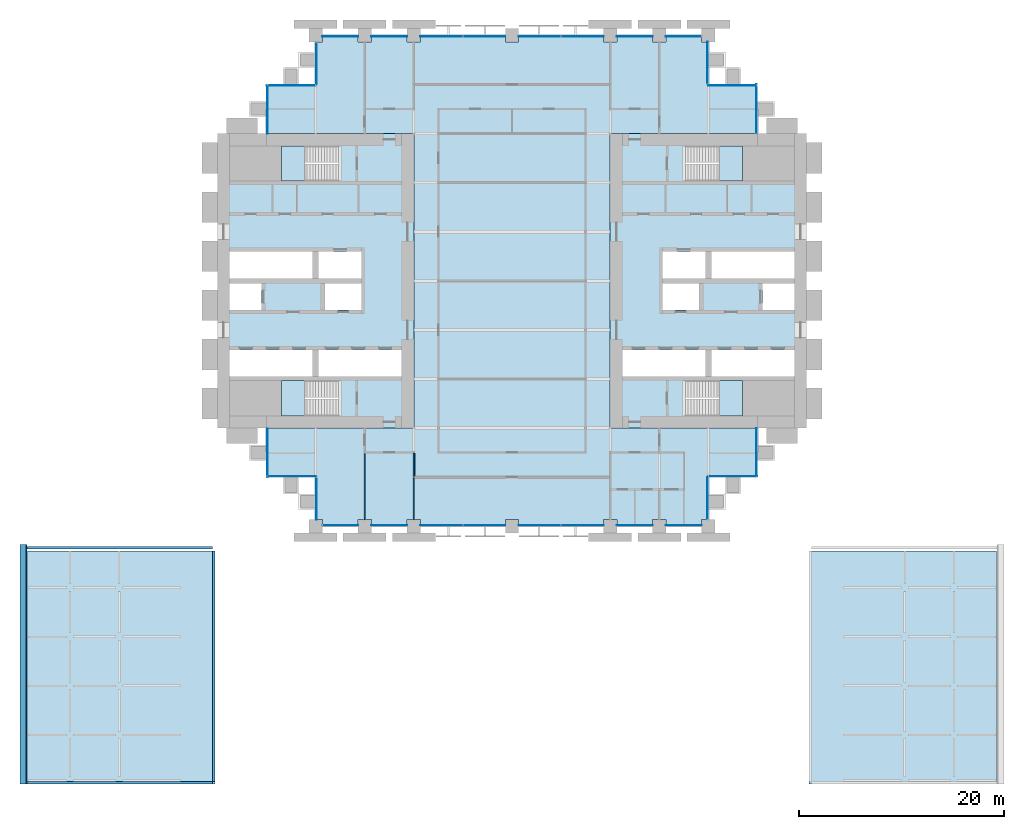
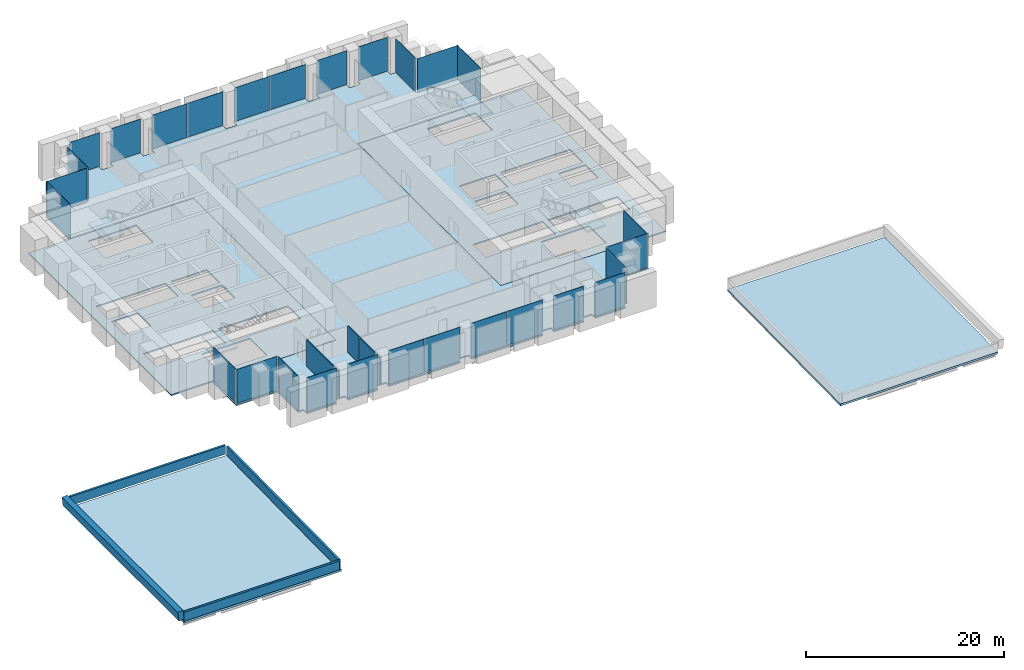
# One storey, part 8 of 14: 28 plates, 9 slabs, 7 walls, 18 elements without a shape of their own.
"""IFC4 building model written with IfcOpenShell, lengths in metres."""

import ifcopenshell
import ifcopenshell.guid

model = None  # the IFC model being written
_history = None  # IfcOwnerHistory: only IFC2X3 demands one
_inside = {}  # id of a spatial element -> (the spatial element, [elements in it])
_under = {}  # id of a project, library or spatial element -> (it, [spatial elements below it])
_declared = {}  # id of a project -> (the project, [libraries it declares])
_typed = {}  # id of a type object -> (the type object, [elements of that type])
_made_of = {}  # id of a material, layer set ... -> (it, [elements and type objects made of it])


def new_model(schema):
    """Start an empty IFC model of exactly this schema.

    Asked for "IFC4X3", IfcOpenShell would pick the latest addendum, in which some entities
    have other attributes; the version numbers below select the first issue.
    IFC2X3 requires an IfcOwnerHistory on every rooted entity: one is made here for all.
    """
    global model, _history
    if schema == "IFC4X3":
        model = ifcopenshell.file(schema_version=(4, 3, 0, 0))
    else:
        model = ifcopenshell.file(schema=schema)
    _inside.clear()
    _under.clear()
    _declared.clear()
    _typed.clear()
    _made_of.clear()
    _history = None
    if model.schema == "IFC2X3":
        org = make("IfcOrganization", Name="unknown")
        user = make(
            "IfcPersonAndOrganization",
            ThePerson=make("IfcPerson", FamilyName="unknown"),
            TheOrganization=org,
        )
        app = make(
            "IfcApplication",
            ApplicationDeveloper=org,
            Version="unknown",
            ApplicationFullName="unknown",
            ApplicationIdentifier="unknown",
        )
        _history = make(
            "IfcOwnerHistory",
            OwningUser=user,
            OwningApplication=app,
            ChangeAction="ADDED",
            CreationDate=0,
        )
    return model


def make(cls, **values):
    """One entity of the class cls with the attributes given. An attribute that is None is left unset."""
    return model.create_entity(
        cls, **{name: value for name, value in values.items() if value is not None}
    )


def rooted(cls, **values):
    """An entity with a GlobalId (a new one), such as an element, a storey or a relation."""
    return make(cls, GlobalId=ifcopenshell.guid.new(), OwnerHistory=_history, **values)


def si_unit(unit_type, name, prefix=None):
    """IfcSIUnit, for example si_unit("LENGTHUNIT", "METRE", prefix="MILLI")."""
    return make("IfcSIUnit", UnitType=unit_type, Prefix=prefix, Name=name)


def assignment(units):
    """IfcUnitAssignment: the units of a project."""
    return None if units is None else make("IfcUnitAssignment", Units=units)


def point(xyz):
    """IfcCartesianPoint."""
    return None if xyz is None else make("IfcCartesianPoint", Coordinates=xyz)


def direction(xyz):
    """IfcDirection."""
    return None if xyz is None else make("IfcDirection", DirectionRatios=xyz)


def frame(location, z_axis=None, x_axis=None):
    """IfcAxis2Placement3D, a coordinate frame: its origin and axes. An axis left out is left unset."""
    return make(
        "IfcAxis2Placement3D",
        Location=point(location),
        Axis=direction(z_axis),
        RefDirection=direction(x_axis),
    )


def frame_2d(location, x_axis=None):
    """IfcAxis2Placement2D, a coordinate frame in the plane: its origin and x axis."""
    return make(
        "IfcAxis2Placement2D", Location=point(location), RefDirection=direction(x_axis)
    )


def origin():
    """The frame at (0, 0, 0) with its axes left unset."""
    return frame((0.0, 0.0, 0.0))


def origin_2d():
    """The frame at (0, 0) in the plane with its x axis left unset."""
    return frame_2d((0.0, 0.0))


def place(relative_to, where):
    """IfcLocalPlacement: puts the frame where relative to a parent placement (None: the world)."""
    return make(
        "IfcLocalPlacement", PlacementRelTo=relative_to, RelativePlacement=where
    )


def context(
    kind, dimensions, precision=None, world=None, true_north=None, identifier=None
):
    """IfcGeometricRepresentationContext, for example the 3D "Model" context."""
    return make(
        "IfcGeometricRepresentationContext",
        ContextIdentifier=identifier,
        ContextType=kind,
        CoordinateSpaceDimension=dimensions,
        Precision=precision,
        WorldCoordinateSystem=world,
        TrueNorth=true_north,
    )


def subcontext(parent, identifier, kind, view, scale=None):
    """IfcGeometricRepresentationSubContext, for example "Body" below "Model"."""
    return make(
        "IfcGeometricRepresentationSubContext",
        ContextIdentifier=identifier,
        ContextType=kind,
        ParentContext=parent,
        TargetScale=scale,
        TargetView=view,
    )


def project(units=None, contexts=None):
    """IfcProject with its units and contexts."""
    return rooted(
        "IfcProject",
        Name="project",
        RepresentationContexts=contexts,
        UnitsInContext=assignment(units),
    )


def spatial(cls, under=None, at=None, **own):
    """A site, building, storey or space (cls), placed at a placement, below another one or the project."""
    s = rooted(cls, ObjectPlacement=at, **own)
    if under is not None:
        _under.setdefault(under.id(), (under, []))[1].append(s)
    return s


def polyline(points):
    """IfcPolyline through the points."""
    return make("IfcPolyline", Points=[point(p) for p in points])


def profile(cls, at=None, kind="AREA", **sizes):
    """A parametric profile (cls). Its sizes go by their IFC names, for example OverallWidth=200.0."""
    return make(cls, ProfileType=kind, Position=at, **sizes)


def rectangle(**sizes):
    """IfcRectangleProfileDef."""
    return profile("IfcRectangleProfileDef", **sizes)


def outline(outer, holes=None, kind="AREA"):
    """IfcArbitraryClosedProfileDef: a profile drawn as a closed curve; with holes, ...WithVoids."""
    if holes is None:
        return make("IfcArbitraryClosedProfileDef", ProfileType=kind, OuterCurve=outer)
    return make(
        "IfcArbitraryProfileDefWithVoids",
        ProfileType=kind,
        OuterCurve=outer,
        InnerCurves=holes,
    )


def extrude(swept, where, along, depth):
    """IfcExtrudedAreaSolid: the profile swept, set in the frame where, extruded along a direction by depth."""
    return make(
        "IfcExtrudedAreaSolid",
        SweptArea=swept,
        Position=where,
        ExtrudedDirection=direction(along),
        Depth=depth,
    )


def shape(context_of_items, identifier, shape_type, items):
    """IfcShapeRepresentation: the items that make up one representation, for example the "Body"."""
    return make(
        "IfcShapeRepresentation",
        ContextOfItems=context_of_items,
        RepresentationIdentifier=identifier,
        RepresentationType=shape_type,
        Items=items,
    )


def material(Name=None, Category=None):
    """IfcMaterial."""
    return make("IfcMaterial", Name=Name, Category=Category)


def layer(
    of_material, thickness, ventilated=None, Name=None, Category=None, Priority=None
):
    """IfcMaterialLayer: one layer of a wall or slab, of a material (None: an air gap)."""
    return make(
        "IfcMaterialLayer",
        Material=of_material,
        LayerThickness=thickness,
        IsVentilated=ventilated,
        Name=Name,
        Category=Category,
        Priority=Priority,
    )


def layer_set(layers, Name=None):
    """IfcMaterialLayerSet."""
    return make("IfcMaterialLayerSet", MaterialLayers=layers, LayerSetName=Name)


def made_of(thing, what):
    """Note that an element or type object is made of a material, layer set ...; save() writes the relation."""
    if what is not None:
        _made_of.setdefault(what.id(), (what, []))[1].append(thing)
    return thing


def type_object(cls, material=None, **own):
    """A type object (cls), such as IfcWallType, which elements share."""
    return made_of(rooted(cls, **own), material)


def element(
    cls,
    number,
    at=None,
    inside=None,
    cuts=None,
    type_object=None,
    material=None,
    context=None,
    identifier="Body",
    shape_type=None,
    held_by="IfcProductDefinitionShape",
    body=None,
    shapes=None,
    **own,
):
    """One element of the class cls, such as IfcWall. Its Tag is "e" and its number.

    at: its placement. inside: the storey or other place that contains it. cuts: it is an
    opening in that element (IfcRelVoidsElement). A single representation is given by context,
    identifier, shape_type and body (its items); several are given by shapes. held_by: the class
    of the entity that holds the representations. save() writes the other relations.
    """
    e = rooted(cls, Tag="e%d" % number, ObjectPlacement=at, **own)
    if body is not None:
        shapes = [shape(context, identifier, shape_type, body)]
    if shapes is not None:
        e.Representation = make(held_by, Representations=shapes)
    if inside is not None:
        _inside.setdefault(inside.id(), (inside, []))[1].append(e)
    if cuts is not None:
        rooted(
            "IfcRelVoidsElement", RelatingBuildingElement=cuts, RelatedOpeningElement=e
        )
    if type_object is not None:
        _typed.setdefault(type_object.id(), (type_object, []))[1].append(e)
    return made_of(e, material)


def aggregate(whole, parts):
    """IfcRelAggregates: a whole, such as a stair, and the parts it consists of."""
    return rooted("IfcRelAggregates", RelatingObject=whole, RelatedObjects=parts)


def save(model, path):
    """Write the relations noted so far, then the file.

    IfcRelAggregates (storeys below a building ...), IfcRelContainedInSpatialStructure (elements
    in a storey), IfcRelDefinesByType, IfcRelAssociatesMaterial and IfcRelDeclares: one each for
    every whole, place, type object, material and project.
    """
    for whole, parts in _under.values():
        aggregate(whole, parts)
    for where, things in _inside.values():
        rooted(
            "IfcRelContainedInSpatialStructure",
            RelatedElements=things,
            RelatingStructure=where,
        )
    for kind, things in _typed.values():
        rooted("IfcRelDefinesByType", RelatedObjects=things, RelatingType=kind)
    for what, things in _made_of.values():
        rooted("IfcRelAssociatesMaterial", RelatedObjects=things, RelatingMaterial=what)
    for by, libraries in _declared.values():
        rooted("IfcRelDeclares", RelatingContext=by, RelatedDefinitions=libraries)
    model.write(path)


model = new_model("IFC4")

# Units and contexts
model_context = context("Model", 3, precision=1e-05, world=origin(), true_north=direction((0.0, 1.0)))
body_context = subcontext(model_context, "Body", "Model", "MODEL_VIEW")
ifc_project = project(units=[si_unit("LENGTHUNIT", "METRE"), si_unit("AREAUNIT", "SQUARE_METRE"), si_unit("VOLUMEUNIT", "CUBIC_METRE"), si_unit("PLANEANGLEUNIT", "RADIAN"), si_unit("MASSUNIT", "GRAM", prefix="KILO")], contexts=[model_context])

# Site, building, storey
site_placement = place(None, origin())
site = spatial("IfcSite", under=ifc_project, at=site_placement, CompositionType="ELEMENT")
building_placement = place(site_placement, origin())
building = spatial("IfcBuilding", under=site, at=building_placement, Name="Baori Bourse Tower", CompositionType="ELEMENT")
storey_placement = place(building_placement, frame((0.0, 0.0, 30.199951171875)))
storey = spatial("IfcBuildingStorey", under=building, at=storey_placement, Name="L05", CompositionType="ELEMENT", Elevation=30.199951171875)

# Curtain wall, plates
ifc_material_1 = material(Name="Pale anodised aluminium", Category="aluminium")
curtain_wall_type_1 = type_object("IfcCurtainWallType", Name="CW1 Curtain wall", PredefinedType="NOTDEFINED", material=ifc_material_1)
curtain_wall_1_placement = place(storey_placement, origin())
curtain_wall_1 = element("IfcCurtainWall", 1, at=curtain_wall_1_placement, inside=storey, type_object=curtain_wall_type_1, Name="Curtain wall CW1 L05 4", PredefinedType="NOTDEFINED")
ifc_material_2 = material(Name="Clear glass", Category="glass")
ifc_layer_1 = layer(ifc_material_2, 0.033935546875)
ifc_layer_set_1 = layer_set([ifc_layer_1], Name="CW1 Curtain wall panel")
plate_type_1 = type_object("IfcPlateType", Name="CW1 Curtain wall panel", PredefinedType="CURTAIN_PANEL", material=ifc_layer_set_1)
plate_1_placement = place(storey_placement, frame((45.570068359375, 47.89990234375, 0.080078125), z_axis=(0.0, 0.0, 1.0), x_axis=(-1.0, 0.0, 0.0)))
plate_1 = element("IfcPlate", 2, at=plate_1_placement, type_object=plate_type_1, Name="Curtain wall CW1 panel", PredefinedType="CURTAIN_PANEL", context=body_context, shape_type="SweptSolid", body=[
    extrude(rectangle(XDim=3.43994140625, YDim=0.033935546875, at=origin_2d()), origin(), (0.0, 0.0, 1.0), 4.159912109375),
])
plate_2_placement = place(storey_placement, frame((40.800048828125, 47.89990234375, 0.080078125), z_axis=(0.0, 0.0, 1.0), x_axis=(-1.0, 0.0, 0.0)))
plate_2 = element("IfcPlate", 3, at=plate_2_placement, type_object=plate_type_1, Name="Curtain wall CW1 panel", PredefinedType="CURTAIN_PANEL", context=body_context, shape_type="SweptSolid", body=[
    extrude(rectangle(XDim=3.5, YDim=0.033935546875, at=origin_2d()), origin(), (0.0, 0.0, 1.0), 4.159912109375),
])
plate_3_placement = place(storey_placement, frame((35.68994140625, 47.89990234375, 0.080078125), z_axis=(0.0, 0.0, 1.0), x_axis=(-1.0, 0.0, 0.0)))
plate_3 = element("IfcPlate", 4, at=plate_3_placement, type_object=plate_type_1, Name="Curtain wall CW1 panel", PredefinedType="CURTAIN_PANEL", context=body_context, shape_type="SweptSolid", body=[
    extrude(rectangle(XDim=4.1201171875, YDim=0.033935546875, at=origin_2d()), origin(), (0.0, 0.0, 1.0), 4.159912109375),
])
plate_4_placement = place(storey_placement, frame((31.510009765625, 47.89990234375, 0.080078125), z_axis=(0.0, 0.0, 1.0), x_axis=(-1.0, 0.0, 0.0)))
plate_4 = element("IfcPlate", 5, at=plate_4_placement, type_object=plate_type_1, Name="Curtain wall CW1 panel", PredefinedType="CURTAIN_PANEL", context=body_context, shape_type="SweptSolid", body=[
    extrude(rectangle(XDim=4.1201171875, YDim=0.033935546875, at=origin_2d()), origin(), (0.0, 0.0, 1.0), 4.159912109375),
])
plate_5_placement = place(storey_placement, frame((26.090087890625, 47.89990234375, 0.080078125), z_axis=(0.0, 0.0, 1.0), x_axis=(-1.0, 0.0, 0.0)))
plate_5 = element("IfcPlate", 6, at=plate_5_placement, type_object=plate_type_1, Name="Curtain wall CW1 panel", PredefinedType="CURTAIN_PANEL", context=body_context, shape_type="SweptSolid", body=[
    extrude(rectangle(XDim=4.1201171875, YDim=0.033935546875, at=origin_2d()), origin(), (0.0, 0.0, 1.0), 4.159912109375),
])
plate_6_placement = place(storey_placement, frame((21.909912109375, 47.89990234375, 0.080078125), z_axis=(0.0, 0.0, 1.0), x_axis=(-1.0, 0.0, 0.0)))
plate_6 = element("IfcPlate", 7, at=plate_6_placement, type_object=plate_type_1, Name="Curtain wall CW1 panel", PredefinedType="CURTAIN_PANEL", context=body_context, shape_type="SweptSolid", body=[
    extrude(rectangle(XDim=4.1201171875, YDim=0.033935546875, at=origin_2d()), origin(), (0.0, 0.0, 1.0), 4.159912109375),
])
plate_7_placement = place(storey_placement, frame((16.800048828125, 47.89990234375, 0.080078125), z_axis=(0.0, 0.0, 1.0), x_axis=(-1.0, 0.0, 0.0)))
plate_7 = element("IfcPlate", 8, at=plate_7_placement, type_object=plate_type_1, Name="Curtain wall CW1 panel", PredefinedType="CURTAIN_PANEL", context=body_context, shape_type="SweptSolid", body=[
    extrude(rectangle(XDim=3.5, YDim=0.033935546875, at=origin_2d()), origin(), (0.0, 0.0, 1.0), 4.159912109375),
])
plate_8_placement = place(storey_placement, frame((12.0, 47.89990234375, 0.080078125), z_axis=(0.0, 0.0, 1.0), x_axis=(-1.0, 0.0, 0.0)))
plate_8 = element("IfcPlate", 9, at=plate_8_placement, type_object=plate_type_1, Name="Curtain wall CW1 panel", PredefinedType="CURTAIN_PANEL", context=body_context, shape_type="SweptSolid", body=[
    extrude(rectangle(XDim=3.5, YDim=0.033935546875, at=origin_2d()), origin(), (0.0, 0.0, 1.0), 4.159912109375),
])
aggregate(curtain_wall_1, [plate_1, plate_2, plate_3, plate_4, plate_5, plate_6, plate_7, plate_8])

curtain_wall_2_placement = place(storey_placement, origin())
curtain_wall_2 = element("IfcCurtainWall", 10, at=curtain_wall_2_placement, inside=storey, type_object=curtain_wall_type_1, Name="Curtain wall CW1 L05 11", PredefinedType="NOTDEFINED")
plate_9_placement = place(storey_placement, frame((12.030029296875, 0.10009765625, 0.080078125), z_axis=(0.0, 0.0, 1.0), x_axis=(1.0, 0.0, 0.0)))
plate_9 = element("IfcPlate", 11, at=plate_9_placement, type_object=plate_type_1, Name="Curtain wall CW1 panel", PredefinedType="CURTAIN_PANEL", context=body_context, shape_type="SweptSolid", body=[
    extrude(rectangle(XDim=3.43994140625, YDim=0.033935546875, at=origin_2d()), origin(), (0.0, 0.0, 1.0), 4.159912109375),
])
plate_10_placement = place(storey_placement, frame((16.800048828125, 0.10009765625, 0.080078125), z_axis=(0.0, 0.0, 1.0), x_axis=(1.0, 0.0, 0.0)))
plate_10 = element("IfcPlate", 12, at=plate_10_placement, type_object=plate_type_1, Name="Curtain wall CW1 panel", PredefinedType="CURTAIN_PANEL", context=body_context, shape_type="SweptSolid", body=[
    extrude(rectangle(XDim=3.5, YDim=0.033935546875, at=origin_2d()), origin(), (0.0, 0.0, 1.0), 4.159912109375),
])
plate_11_placement = place(storey_placement, frame((21.909912109375, 0.10009765625, 0.080078125), z_axis=(0.0, 0.0, 1.0), x_axis=(1.0, 0.0, 0.0)))
plate_11 = element("IfcPlate", 13, at=plate_11_placement, type_object=plate_type_1, Name="Curtain wall CW1 panel", PredefinedType="CURTAIN_PANEL", context=body_context, shape_type="SweptSolid", body=[
    extrude(rectangle(XDim=4.1201171875, YDim=0.033935546875, at=origin_2d()), origin(), (0.0, 0.0, 1.0), 4.159912109375),
])
plate_12_placement = place(storey_placement, frame((26.090087890625, 0.10009765625, 0.080078125), z_axis=(0.0, 0.0, 1.0), x_axis=(1.0, 0.0, 0.0)))
plate_12 = element("IfcPlate", 14, at=plate_12_placement, type_object=plate_type_1, Name="Curtain wall CW1 panel", PredefinedType="CURTAIN_PANEL", context=body_context, shape_type="SweptSolid", body=[
    extrude(rectangle(XDim=4.1201171875, YDim=0.033935546875, at=origin_2d()), origin(), (0.0, 0.0, 1.0), 4.159912109375),
])
plate_13_placement = place(storey_placement, frame((31.510009765625, 0.10009765625, 0.080078125), z_axis=(0.0, 0.0, 1.0), x_axis=(1.0, 0.0, 0.0)))
plate_13 = element("IfcPlate", 15, at=plate_13_placement, type_object=plate_type_1, Name="Curtain wall CW1 panel", PredefinedType="CURTAIN_PANEL", context=body_context, shape_type="SweptSolid", body=[
    extrude(rectangle(XDim=4.1201171875, YDim=0.033935546875, at=origin_2d()), origin(), (0.0, 0.0, 1.0), 4.159912109375),
])
plate_14_placement = place(storey_placement, frame((35.68994140625, 0.10009765625, 0.080078125), z_axis=(0.0, 0.0, 1.0), x_axis=(1.0, 0.0, 0.0)))
plate_14 = element("IfcPlate", 16, at=plate_14_placement, type_object=plate_type_1, Name="Curtain wall CW1 panel", PredefinedType="CURTAIN_PANEL", context=body_context, shape_type="SweptSolid", body=[
    extrude(rectangle(XDim=4.1201171875, YDim=0.033935546875, at=origin_2d()), origin(), (0.0, 0.0, 1.0), 4.159912109375),
])
plate_15_placement = place(storey_placement, frame((40.800048828125, 0.10009765625, 0.080078125), z_axis=(0.0, 0.0, 1.0), x_axis=(1.0, 0.0, 0.0)))
plate_15 = element("IfcPlate", 17, at=plate_15_placement, type_object=plate_type_1, Name="Curtain wall CW1 panel", PredefinedType="CURTAIN_PANEL", context=body_context, shape_type="SweptSolid", body=[
    extrude(rectangle(XDim=3.5, YDim=0.033935546875, at=origin_2d()), origin(), (0.0, 0.0, 1.0), 4.159912109375),
])
plate_16_placement = place(storey_placement, frame((45.60009765625, 0.10009765625, 0.080078125), z_axis=(0.0, 0.0, 1.0), x_axis=(1.0, 0.0, 0.0)))
plate_16 = element("IfcPlate", 18, at=plate_16_placement, type_object=plate_type_1, Name="Curtain wall CW1 panel", PredefinedType="CURTAIN_PANEL", context=body_context, shape_type="SweptSolid", body=[
    extrude(rectangle(XDim=3.5, YDim=0.033935546875, at=origin_2d()), origin(), (0.0, 0.0, 1.0), 4.159912109375),
])
aggregate(curtain_wall_2, [plate_9, plate_10, plate_11, plate_12, plate_13, plate_14, plate_15, plate_16])

# Curtain wall, plate
ifc_material_3 = material(Name="Pale anodised aluminium", Category="aluminium")
curtain_wall_type_2 = type_object("IfcCurtainWallType", Name="CW2 Curtain wall", PredefinedType="NOTDEFINED", material=ifc_material_3)
curtain_wall_3_placement = place(storey_placement, origin())
curtain_wall_3 = element("IfcCurtainWall", 19, at=curtain_wall_3_placement, inside=storey, type_object=curtain_wall_type_2, Name="Curtain wall CW2 L05 1", PredefinedType="NOTDEFINED")
ifc_material_4 = material(Name="Clear glass", Category="glass")
ifc_layer_2 = layer(ifc_material_4, 0.030029296875)
ifc_layer_set_2 = layer_set([ifc_layer_2], Name="CW2 Curtain wall panel")
plate_type_2 = type_object("IfcPlateType", Name="CW2 Curtain wall panel", PredefinedType="CURTAIN_PANEL", material=ifc_layer_set_2)
plate_17_placement = place(storey_placement, frame((52.7099609375, 40.827392578125, 0.070068359375), z_axis=(0.0, 0.0, 1.0), x_axis=(0.0, 1.0, 0.0)))
plate_17 = element("IfcPlate", 20, at=plate_17_placement, type_object=plate_type_2, Name="Curtain wall CW2 panel", PredefinedType="CURTAIN_PANEL", context=body_context, shape_type="SweptSolid", body=[
    extrude(rectangle(XDim=4.7451171875, YDim=0.030029296875, at=origin_2d()), origin(), (0.0, 0.0, 1.0), 4.169921875),
])
aggregate(curtain_wall_3, [plate_17])

curtain_wall_4_placement = place(storey_placement, origin())
curtain_wall_4 = element("IfcCurtainWall", 21, at=curtain_wall_4_placement, inside=storey, type_object=curtain_wall_type_2, Name="Curtain wall CW2 L05 2", PredefinedType="NOTDEFINED")
plate_18_placement = place(storey_placement, frame((50.37255859375, 43.110107421875, 0.070068359375), z_axis=(0.0, 0.0, 1.0), x_axis=(-1.0, 0.0, 0.0)))
plate_18 = element("IfcPlate", 22, at=plate_18_placement, type_object=plate_type_2, Name="Curtain wall CW2 panel", PredefinedType="CURTAIN_PANEL", context=body_context, shape_type="SweptSolid", body=[
    extrude(rectangle(XDim=4.7451171875, YDim=0.030029296875, at=origin_2d()), origin(), (0.0, 0.0, 1.0), 4.169921875),
])
aggregate(curtain_wall_4, [plate_18])

curtain_wall_5_placement = place(storey_placement, origin())
curtain_wall_5 = element("IfcCurtainWall", 23, at=curtain_wall_5_placement, inside=storey, type_object=curtain_wall_type_2, Name="Curtain wall CW2 L05 3", PredefinedType="NOTDEFINED")
plate_19_placement = place(storey_placement, frame((47.909912109375, 45.302490234375, 0.070068359375), z_axis=(0.0, 0.0, 1.0), x_axis=(0.0, 1.0, 0.0)))
plate_19 = element("IfcPlate", 24, at=plate_19_placement, type_object=plate_type_2, Name="Curtain wall CW2 panel", PredefinedType="CURTAIN_PANEL", context=body_context, shape_type="SweptSolid", body=[
    extrude(rectangle(XDim=4.094970703125, YDim=0.030029296875, at=origin_2d()), origin(), (0.0, 0.0, 1.0), 4.169921875),
])
aggregate(curtain_wall_5, [plate_19])

curtain_wall_6_placement = place(storey_placement, origin())
curtain_wall_6 = element("IfcCurtainWall", 25, at=curtain_wall_6_placement, inside=storey, type_object=curtain_wall_type_2, Name="Curtain wall CW2 L05 5", PredefinedType="NOTDEFINED")
plate_20_placement = place(storey_placement, frame((9.68994140625, 45.24755859375, 0.070068359375), z_axis=(0.0, 0.0, 1.0), x_axis=(0.0, -1.0, 0.0)))
plate_20 = element("IfcPlate", 26, at=plate_20_placement, type_object=plate_type_2, Name="Curtain wall CW2 panel", PredefinedType="CURTAIN_PANEL", context=body_context, shape_type="SweptSolid", body=[
    extrude(rectangle(XDim=4.094970703125, YDim=0.030029296875, at=origin_2d()), origin(), (0.0, 0.0, 1.0), 4.169921875),
])
aggregate(curtain_wall_6, [plate_20])

curtain_wall_7_placement = place(storey_placement, origin())
curtain_wall_7 = element("IfcCurtainWall", 27, at=curtain_wall_7_placement, inside=storey, type_object=curtain_wall_type_2, Name="Curtain wall CW2 L05 6", PredefinedType="NOTDEFINED")
plate_21_placement = place(storey_placement, frame((7.172607421875, 43.110107421875, 0.070068359375), z_axis=(0.0, 0.0, 1.0), x_axis=(-1.0, 0.0, 0.0)))
plate_21 = element("IfcPlate", 28, at=plate_21_placement, type_object=plate_type_2, Name="Curtain wall CW2 panel", PredefinedType="CURTAIN_PANEL", context=body_context, shape_type="SweptSolid", body=[
    extrude(rectangle(XDim=4.7451171875, YDim=0.030029296875, at=origin_2d()), origin(), (0.0, 0.0, 1.0), 4.169921875),
])
aggregate(curtain_wall_7, [plate_21])

curtain_wall_8_placement = place(storey_placement, origin())
curtain_wall_8 = element("IfcCurtainWall", 29, at=curtain_wall_8_placement, inside=storey, type_object=curtain_wall_type_2, Name="Curtain wall CW2 L05 7", PredefinedType="NOTDEFINED")
plate_22_placement = place(storey_placement, frame((4.889892578125, 40.7724609375, 0.070068359375), z_axis=(0.0, 0.0, 1.0), x_axis=(0.0, -1.0, 0.0)))
plate_22 = element("IfcPlate", 30, at=plate_22_placement, type_object=plate_type_2, Name="Curtain wall CW2 panel", PredefinedType="CURTAIN_PANEL", context=body_context, shape_type="SweptSolid", body=[
    extrude(rectangle(XDim=4.7451171875, YDim=0.030029296875, at=origin_2d()), origin(), (0.0, 0.0, 1.0), 4.169921875),
])
aggregate(curtain_wall_8, [plate_22])

curtain_wall_9_placement = place(storey_placement, origin())
curtain_wall_9 = element("IfcCurtainWall", 31, at=curtain_wall_9_placement, inside=storey, type_object=curtain_wall_type_2, Name="Curtain wall CW2 L05 8", PredefinedType="NOTDEFINED")
plate_23_placement = place(storey_placement, frame((4.889892578125, 7.172607421875, 0.070068359375), z_axis=(0.0, 0.0, 1.0), x_axis=(0.0, -1.0, 0.0)))
plate_23 = element("IfcPlate", 32, at=plate_23_placement, type_object=plate_type_2, Name="Curtain wall CW2 panel", PredefinedType="CURTAIN_PANEL", context=body_context, shape_type="SweptSolid", body=[
    extrude(rectangle(XDim=4.7451171875, YDim=0.030029296875, at=origin_2d()), origin(), (0.0, 0.0, 1.0), 4.169921875),
])
aggregate(curtain_wall_9, [plate_23])

curtain_wall_10_placement = place(storey_placement, origin())
curtain_wall_10 = element("IfcCurtainWall", 33, at=curtain_wall_10_placement, inside=storey, type_object=curtain_wall_type_2, Name="Curtain wall CW2 L05 9", PredefinedType="NOTDEFINED")
plate_24_placement = place(storey_placement, frame((7.2275390625, 4.889892578125, 0.070068359375), z_axis=(0.0, 0.0, 1.0), x_axis=(1.0, 0.0, 0.0)))
plate_24 = element("IfcPlate", 34, at=plate_24_placement, type_object=plate_type_2, Name="Curtain wall CW2 panel", PredefinedType="CURTAIN_PANEL", context=body_context, shape_type="SweptSolid", body=[
    extrude(rectangle(XDim=4.7451171875, YDim=0.030029296875, at=origin_2d()), origin(), (0.0, 0.0, 1.0), 4.169921875),
])
aggregate(curtain_wall_10, [plate_24])

curtain_wall_11_placement = place(storey_placement, origin())
curtain_wall_11 = element("IfcCurtainWall", 35, at=curtain_wall_11_placement, inside=storey, type_object=curtain_wall_type_2, Name="Curtain wall CW2 L05 10", PredefinedType="NOTDEFINED")
plate_25_placement = place(storey_placement, frame((9.68994140625, 2.697509765625, 0.070068359375), z_axis=(0.0, 0.0, 1.0), x_axis=(0.0, -1.0, 0.0)))
plate_25 = element("IfcPlate", 36, at=plate_25_placement, type_object=plate_type_2, Name="Curtain wall CW2 panel", PredefinedType="CURTAIN_PANEL", context=body_context, shape_type="SweptSolid", body=[
    extrude(rectangle(XDim=4.094970703125, YDim=0.030029296875, at=origin_2d()), origin(), (0.0, 0.0, 1.0), 4.169921875),
])
aggregate(curtain_wall_11, [plate_25])

curtain_wall_12_placement = place(storey_placement, origin())
curtain_wall_12 = element("IfcCurtainWall", 37, at=curtain_wall_12_placement, inside=storey, type_object=curtain_wall_type_2, Name="Curtain wall CW2 L05 12", PredefinedType="NOTDEFINED")
plate_26_placement = place(storey_placement, frame((47.909912109375, 2.75244140625, 0.070068359375), z_axis=(0.0, 0.0, 1.0), x_axis=(0.0, 1.0, 0.0)))
plate_26 = element("IfcPlate", 38, at=plate_26_placement, type_object=plate_type_2, Name="Curtain wall CW2 panel", PredefinedType="CURTAIN_PANEL", context=body_context, shape_type="SweptSolid", body=[
    extrude(rectangle(XDim=4.094970703125, YDim=0.030029296875, at=origin_2d()), origin(), (0.0, 0.0, 1.0), 4.169921875),
])
aggregate(curtain_wall_12, [plate_26])

curtain_wall_13_placement = place(storey_placement, origin())
curtain_wall_13 = element("IfcCurtainWall", 39, at=curtain_wall_13_placement, inside=storey, type_object=curtain_wall_type_2, Name="Curtain wall CW2 L05 13", PredefinedType="NOTDEFINED")
plate_27_placement = place(storey_placement, frame((50.427490234375, 4.889892578125, 0.070068359375), z_axis=(0.0, 0.0, 1.0), x_axis=(1.0, 0.0, 0.0)))
plate_27 = element("IfcPlate", 40, at=plate_27_placement, type_object=plate_type_2, Name="Curtain wall CW2 panel", PredefinedType="CURTAIN_PANEL", context=body_context, shape_type="SweptSolid", body=[
    extrude(rectangle(XDim=4.7451171875, YDim=0.030029296875, at=origin_2d()), origin(), (0.0, 0.0, 1.0), 4.169921875),
])
aggregate(curtain_wall_13, [plate_27])

curtain_wall_14_placement = place(storey_placement, origin())
curtain_wall_14 = element("IfcCurtainWall", 41, at=curtain_wall_14_placement, inside=storey, type_object=curtain_wall_type_2, Name="Curtain wall CW2 L05 14", PredefinedType="NOTDEFINED")
plate_28_placement = place(storey_placement, frame((52.7099609375, 7.2275390625, 0.070068359375), z_axis=(0.0, 0.0, 1.0), x_axis=(0.0, 1.0, 0.0)))
plate_28 = element("IfcPlate", 42, at=plate_28_placement, type_object=plate_type_2, Name="Curtain wall CW2 panel", PredefinedType="CURTAIN_PANEL", context=body_context, shape_type="SweptSolid", body=[
    extrude(rectangle(XDim=4.7451171875, YDim=0.030029296875, at=origin_2d()), origin(), (0.0, 0.0, 1.0), 4.169921875),
])
aggregate(curtain_wall_14, [plate_28])

# Slabs
ifc_material_5 = material(Name="Concrete f'c 50 MPa", Category="concrete")
ifc_layer_3 = layer(ifc_material_5, 0.159912109375)
ifc_layer_set_3 = layer_set([ifc_layer_3], Name="Core slab 160")
slab_type_1 = type_object("IfcSlabType", Name="Core slab 160", PredefinedType="FLOOR", material=ifc_layer_set_3)
slab_1_placement = place(storey_placement, frame((0.0, 0.0, -0.159912109375)))
element("IfcSlab", 43, at=slab_1_placement, inside=storey, type_object=slab_type_1, Name="Core floor slab W01", PredefinedType="FLOOR", context=body_context, shape_type="SweptSolid", body=[
    extrude(outline(polyline([(19.199951171875, 9.60009765625), (19.199951171875, 38.39990234375), (0.0, 38.39990234375), (0.0, 9.60009765625), (19.199951171875, 9.60009765625)]), holes=[polyline([(9.89990234375, 14.64990234375), (9.89990234375, 17.25), (18.0, 17.25), (18.0, 14.64990234375), (9.89990234375, 14.64990234375)]), polyline([(10.5, 21.14990234375), (10.5, 23.75), (14.10009765625, 23.75), (14.10009765625, 21.14990234375), (10.5, 21.14990234375)]), polyline([(14.10009765625, 24.25), (9.89990234375, 24.25), (9.89990234375, 26.85009765625), (14.10009765625, 26.85009765625), (14.10009765625, 24.25)]), polyline([(6.25, 14.25), (11.84912109375, 14.25), (11.84912109375, 10.800048828125), (6.25, 10.800048828125), (6.25, 14.25)]), polyline([(11.84912109375, 37.199951171875), (11.84912109375, 33.75), (6.25, 33.75), (6.25, 37.199951171875), (11.84912109375, 37.199951171875)]), polyline([(1.199951171875, 26.85009765625), (9.300048828125, 26.85009765625), (9.300048828125, 24.25), (1.199951171875, 24.25), (1.199951171875, 26.85009765625)]), polyline([(9.300048828125, 14.64990234375), (1.199951171875, 14.64990234375), (1.199951171875, 17.25), (9.300048828125, 17.25), (9.300048828125, 14.64990234375)]), polyline([(4.300048828125, 23.75), (4.300048828125, 21.14990234375), (1.199951171875, 21.14990234375), (1.199951171875, 23.75), (4.300048828125, 23.75)])]), origin(), (0.0, 0.0, 1.0), 0.159912109375),
])
slab_2_placement = place(storey_placement, frame((0.0, 0.0, -0.159912109375)))
element("IfcSlab", 44, at=slab_2_placement, inside=storey, type_object=slab_type_1, Name="Core floor slab E01", PredefinedType="FLOOR", context=body_context, shape_type="SweptSolid", body=[
    extrude(outline(polyline([(38.39990234375, 9.60009765625), (57.60009765625, 9.60009765625), (57.60009765625, 38.39990234375), (38.39990234375, 38.39990234375), (38.39990234375, 9.60009765625)]), holes=[polyline([(48.300048828125, 14.64990234375), (48.300048828125, 17.25), (56.39990234375, 17.25), (56.39990234375, 14.64990234375), (48.300048828125, 14.64990234375)]), polyline([(56.39990234375, 21.14990234375), (53.300048828125, 21.14990234375), (53.300048828125, 23.75), (56.39990234375, 23.75), (56.39990234375, 21.14990234375)]), polyline([(56.39990234375, 26.85009765625), (56.39990234375, 24.25), (48.300048828125, 24.25), (48.300048828125, 26.85009765625), (56.39990234375, 26.85009765625)]), polyline([(45.750732421875, 14.25), (51.35009765625, 14.25), (51.35009765625, 10.800048828125), (45.750732421875, 10.800048828125), (45.750732421875, 14.25)]), polyline([(51.35009765625, 37.199951171875), (51.35009765625, 33.75), (45.750732421875, 33.75), (45.750732421875, 37.199951171875), (51.35009765625, 37.199951171875)]), polyline([(39.60009765625, 17.25), (47.699951171875, 17.25), (47.699951171875, 14.64990234375), (39.60009765625, 14.64990234375), (39.60009765625, 17.25)]), polyline([(43.5, 24.25), (43.5, 26.85009765625), (47.699951171875, 26.85009765625), (47.699951171875, 24.25), (43.5, 24.25)]), polyline([(43.5, 23.75), (47.10009765625, 23.75), (47.10009765625, 21.14990234375), (43.5, 21.14990234375), (43.5, 23.75)])]), origin(), (0.0, 0.0, 1.0), 0.159912109375),
])

# Stair, slab
ifc_material_6 = material(Name="Concrete f'c 50 MPa", Category="concrete")
stair_type = type_object("IfcStairType", Name="Core stair", PredefinedType="HALF_TURN_STAIR", material=ifc_material_6)
stair_1_placement = place(storey_placement, origin())
stair_1 = element("IfcStair", 45, at=stair_1_placement, inside=storey, type_object=stair_type, Name="L05 Stair WA", PredefinedType="HALF_TURN_STAIR")
ifc_material_7 = material(Name="Concrete f'c 50 MPa", Category="concrete")
slab_type_2 = type_object("IfcSlabType", Name="Core stair landing", PredefinedType="LANDING", material=ifc_material_7)
slab_3_placement = place(storey_placement, frame((0.0, 0.0, 2.0)))
slab_3 = element("IfcSlab", 46, at=slab_3_placement, type_object=slab_type_2, Name="ST1 landing 1", PredefinedType="LANDING", context=body_context, shape_type="SweptSolid", body=[
    extrude(outline(polyline([(8.489990234375, 14.25), (6.25, 14.25), (6.25, 10.800048828125), (8.489990234375, 10.800048828125), (8.489990234375, 14.25)])), origin(), (0.0, 0.0, 1.0), 0.199951171875),
])
aggregate(stair_1, [slab_3])

stair_2_placement = place(storey_placement, origin())
stair_2 = element("IfcStair", 47, at=stair_2_placement, inside=storey, type_object=stair_type, Name="L05 Stair WB", PredefinedType="HALF_TURN_STAIR")
slab_4_placement = place(storey_placement, frame((0.0, 0.0, 2.0)))
slab_4 = element("IfcSlab", 48, at=slab_4_placement, type_object=slab_type_2, Name="ST2 landing 1", PredefinedType="LANDING", context=body_context, shape_type="SweptSolid", body=[
    extrude(outline(polyline([(8.489990234375, 37.199951171875), (6.25, 37.199951171875), (6.25, 33.75), (8.489990234375, 33.75), (8.489990234375, 37.199951171875)])), origin(), (0.0, 0.0, 1.0), 0.199951171875),
])
aggregate(stair_2, [slab_4])

stair_3_placement = place(storey_placement, origin())
stair_3 = element("IfcStair", 49, at=stair_3_placement, inside=storey, type_object=stair_type, Name="L05 Stair EA", PredefinedType="HALF_TURN_STAIR")
slab_5_placement = place(storey_placement, frame((0.0, 0.0, 2.0)))
slab_5 = element("IfcSlab", 50, at=slab_5_placement, type_object=slab_type_2, Name="ST3 landing 1", PredefinedType="LANDING", context=body_context, shape_type="SweptSolid", body=[
    extrude(outline(polyline([(49.110107421875, 10.800048828125), (51.35009765625, 10.800048828125), (51.35009765625, 14.25), (49.110107421875, 14.25), (49.110107421875, 10.800048828125)])), origin(), (0.0, 0.0, 1.0), 0.199951171875),
])
aggregate(stair_3, [slab_5])

stair_4_placement = place(storey_placement, origin())
stair_4 = element("IfcStair", 51, at=stair_4_placement, inside=storey, type_object=stair_type, Name="L05 Stair EB", PredefinedType="HALF_TURN_STAIR")
slab_6_placement = place(storey_placement, frame((0.0, 0.0, 2.0)))
slab_6 = element("IfcSlab", 52, at=slab_6_placement, type_object=slab_type_2, Name="ST4 landing 1", PredefinedType="LANDING", context=body_context, shape_type="SweptSolid", body=[
    extrude(outline(polyline([(49.110107421875, 33.75), (51.35009765625, 33.75), (51.35009765625, 37.199951171875), (49.110107421875, 37.199951171875), (49.110107421875, 33.75)])), origin(), (0.0, 0.0, 1.0), 0.199951171875),
])
aggregate(stair_4, [slab_6])

# Slabs
ifc_material_8 = material(Name="Concrete f'c 40 MPa", Category="concrete")
ifc_layer_4 = layer(ifc_material_8, 0.159912109375)
ifc_layer_set_4 = layer_set([ifc_layer_4], Name="Floor slab 160")
slab_type_3 = type_object("IfcSlabType", Name="Floor slab 160", PredefinedType="FLOOR", material=ifc_layer_set_4)
slab_7_placement = place(storey_placement, frame((0.0, 0.0, -0.159912109375)))
element("IfcSlab", 53, at=slab_7_placement, inside=storey, type_object=slab_type_3, Name="Floor slab L05", PredefinedType="FLOOR", context=body_context, shape_type="SweptSolid", body=[
    extrude(outline(polyline([(9.60009765625, 4.800048828125), (4.800048828125, 4.800048828125), (4.800048828125, 9.60009765625), (19.199951171875, 9.60009765625), (19.199951171875, 38.39990234375), (4.800048828125, 38.39990234375), (4.800048828125, 43.199951171875), (9.60009765625, 43.199951171875), (9.60009765625, 47.35009765625), (10.25, 47.35009765625), (10.25, 48.0), (13.75, 48.0), (13.75, 47.35009765625), (15.050048828125, 47.35009765625), (15.050048828125, 48.0), (18.550048828125, 48.0), (18.550048828125, 47.35009765625), (19.85009765625, 47.35009765625), (19.85009765625, 48.0), (28.14990234375, 48.0), (28.14990234375, 47.35009765625), (29.449951171875, 47.35009765625), (29.449951171875, 48.0), (37.75, 48.0), (37.75, 47.35009765625), (39.050048828125, 47.35009765625), (39.050048828125, 48.0), (42.550048828125, 48.0), (42.550048828125, 47.35009765625), (43.85009765625, 47.35009765625), (43.85009765625, 48.0), (47.35009765625, 48.0), (47.35009765625, 47.35009765625), (48.0, 47.35009765625), (48.0, 43.199951171875), (52.800048828125, 43.199951171875), (52.800048828125, 38.39990234375), (38.39990234375, 38.39990234375), (38.39990234375, 9.60009765625), (52.800048828125, 9.60009765625), (52.800048828125, 4.800048828125), (48.0, 4.800048828125), (48.0, 0.64990234375), (47.35009765625, 0.64990234375), (47.35009765625, 0.0), (43.85009765625, 0.0), (43.85009765625, 0.64990234375), (42.550048828125, 0.64990234375), (42.550048828125, 0.0), (39.050048828125, 0.0), (39.050048828125, 0.64990234375), (37.75, 0.64990234375), (37.75, 0.0), (29.449951171875, 0.0), (29.449951171875, 0.64990234375), (28.14990234375, 0.64990234375), (28.14990234375, 0.0), (19.85009765625, 0.0), (19.85009765625, 0.64990234375), (18.550048828125, 0.64990234375), (18.550048828125, 0.0), (15.050048828125, 0.0), (15.050048828125, 0.64990234375), (13.75, 0.64990234375), (13.75, 0.0), (10.25, 0.0), (10.25, 0.64990234375), (9.60009765625, 0.64990234375), (9.60009765625, 4.800048828125)])), origin(), (0.0, 0.0, 1.0), 0.159912109375),
])
ifc_material_9 = material(Name="Concrete f'c 40 MPa", Category="concrete")
ifc_layer_5 = layer(ifc_material_9, 0.25)
ifc_layer_set_5 = layer_set([ifc_layer_5], Name="Wing roof slab 250")
slab_type_4 = type_object("IfcSlabType", Name="Wing roof slab 250", PredefinedType="ROOF", material=ifc_layer_set_5)
slab_8_placement = place(storey_placement, frame((-18.5732421875, -25.199951171875, -0.300048828125), z_axis=(0.0, -0.013158868723, 0.999913418339), x_axis=(1.0, 0.0, 0.0)))
element("IfcSlab", 54, at=slab_8_placement, inside=storey, type_object=slab_type_4, Name="wing/L05/Wroof/001", PredefinedType="ROOF", context=body_context, shape_type="SweptSolid", body=[
    extrude(outline(polyline([(0.0, 0.0), (18.3232421875, 0.0), (18.3232421875, 22.8020230651612), (0.0, 22.8020230651612), (0.0, 0.0)])), origin(), (0.0, 0.0, -1.0), 0.25),
])
slab_9_placement = place(storey_placement, frame((76.173095703125, -25.199951171875, -0.300048828125), z_axis=(0.0, -0.013158868723, 0.999913418339), x_axis=(-1.0, 0.0, 0.0)))
element("IfcSlab", 55, at=slab_9_placement, inside=storey, type_object=slab_type_4, Name="wing/L05/Eroof/001", PredefinedType="ROOF", context=body_context, shape_type="SweptSolid", body=[
    extrude(outline(polyline([(0.0, 0.0), (18.322998046875, 0.0), (18.322998046875, -22.8020230651612), (0.0, -22.8020230651612), (0.0, 0.0)])), origin(), (0.0, 0.0, -1.0), 0.25),
])

# Walls
ifc_material_10 = material(Name="Gypsum board partition")
ifc_layer_6 = layer(ifc_material_10, 0.14990234375)
ifc_layer_set_6 = layer_set([ifc_layer_6], Name="Corridor partition 150")
wall_type_1 = type_object("IfcWallType", Name="Corridor partition 150", PredefinedType="PARTITIONING", material=ifc_layer_set_6)
wall_1_placement = place(storey_placement, frame((19.199951171875, 4.875, 0.0), z_axis=(0.0, 0.0, 1.0), x_axis=(0.0, 1.0, 0.0)))
element("IfcWall", 56, at=wall_1_placement, inside=storey, type_object=wall_type_1, Name="Partition", PredefinedType="PARTITIONING", context=body_context, shape_type="SweptSolid", body=[
    extrude(rectangle(XDim=2.25, YDim=0.14990234375, at=frame_2d((1.125, 0.0))), origin(), (0.0, 0.0, 1.0), 3.24951171875),
])
ifc_material_11 = material(Name="Concrete f'c 50 MPa", Category="concrete")
ifc_layer_7 = layer(ifc_material_11, 0.60009765625)
ifc_layer_set_7 = layer_set([ifc_layer_7], Name="Leaning end wall 600")
wall_type_2 = type_object("IfcWallType", Name="Leaning end wall 600", PredefinedType="SOLIDWALL", material=ifc_layer_set_7)
wall_2_placement = place(storey_placement, frame((-18.59716796875, -25.199951171875, 0.0), z_axis=(0.995393636341, 0.0, 0.095872356452), x_axis=(0.0, 1.0, 0.0)))
element("IfcWall", 57, at=wall_2_placement, inside=storey, type_object=wall_type_2, Name="wing/L05/Wleanparapet/001", PredefinedType="SOLIDWALL", context=body_context, shape_type="SweptSolid", body=[
    extrude(outline(polyline([(0.0, 0.0), (23.39990234375, 0.0), (23.39990234375, 1.105188556653595), (0.0, 1.105188556653595), (0.0, 0.0)])), origin(), (0.0, 0.0, -1.0), 0.60009765625),
])
ifc_material_12 = material(Name="Concrete f'c 40 MPa", Category="concrete")
ifc_layer_8 = layer(ifc_material_12, 0.25)
ifc_layer_set_8 = layer_set([ifc_layer_8], Name="Parapet wall 250")
wall_type_3 = type_object("IfcWallType", Name="Parapet wall 250", PredefinedType="SOLIDWALL", material=ifc_layer_set_8)
for number, where, z_axis, x_axis, name in (
    (58, (-0.5, -2.10009765625, 0.00390625), (0.0, 0.0, 1.0), (-1.0, 0.0, 0.0), "wing/L05/Wparapet/001"),
    (59, (-0.5, -25.074951171875, -0.29833984375), (0.0, 0.0, 1.0), (-1.0, 0.0, 0.0), "wing/L05/Wparapet/002"),
):
    element("IfcWall", number, at=place(storey_placement, frame(where, z_axis=z_axis, x_axis=x_axis)), inside=storey, type_object=wall_type_3, Name=name, PredefinedType="SOLIDWALL", context=body_context, shape_type="SweptSolid", body=[
        extrude(rectangle(XDim=18.09716796875, YDim=0.25, at=frame_2d((9.048583984375, 0.0))), origin(), (0.0, 0.0, 1.0), 1.10009765625),
    ])
wall_3_placement = place(storey_placement, frame((-0.25, -24.949951171875, -0.296630859375), z_axis=(1.0, 0.0, 0.0), x_axis=(0.0, 0.999913492984, 0.013153195409)))
element("IfcWall", 60, at=wall_3_placement, inside=storey, type_object=wall_type_3, Name="wing/L05/Wparapet/003", PredefinedType="SOLIDWALL", context=body_context, shape_type="SweptSolid", body=[
    extrude(outline(polyline([(0.0, 0.0), (22.551999734337425, 0.0), (22.566469533779333, 1.1000024900839334), (0.014466588212561629, 1.0997583705788105), (0.0, 0.0)])), origin(), (0.0, 0.0, -1.0), 0.25),
])
ifc_material_13 = material(Name="Gypsum board partition")
ifc_layer_9 = layer(ifc_material_13, 0.125)
ifc_layer_set_9 = layer_set([ifc_layer_9], Name="Partition 125")
wall_type_4 = type_object("IfcWallType", Name="Partition 125", PredefinedType="PARTITIONING", material=ifc_layer_set_9)
wall_4_placement = place(storey_placement, frame((14.39990234375, 0.64990234375, 0.0), z_axis=(0.0, 0.0, 1.0), x_axis=(0.0, 1.0, 0.0)))
element("IfcWall", 61, at=wall_4_placement, inside=storey, type_object=wall_type_4, Name="Partition", PredefinedType="PARTITIONING", context=body_context, shape_type="SweptSolid", body=[
    extrude(rectangle(XDim=6.47509765625, YDim=0.125, at=frame_2d((3.237548828125, 0.0))), origin(), (0.0, 0.0, 1.0), 3.24951171875),
])
wall_5_placement = place(storey_placement, frame((19.199951171875, 0.64990234375, 0.0), z_axis=(0.0, 0.0, 1.0), x_axis=(0.0, 1.0, 0.0)))
element("IfcWall", 62, at=wall_5_placement, inside=storey, type_object=wall_type_4, Name="Partition", PredefinedType="PARTITIONING", context=body_context, shape_type="SweptSolid", body=[
    extrude(rectangle(XDim=4.0751953125, YDim=0.125, at=frame_2d((2.03759765625, 0.0))), origin(), (0.0, 0.0, 1.0), 3.24951171875),
])

save(model, "model.ifc")
